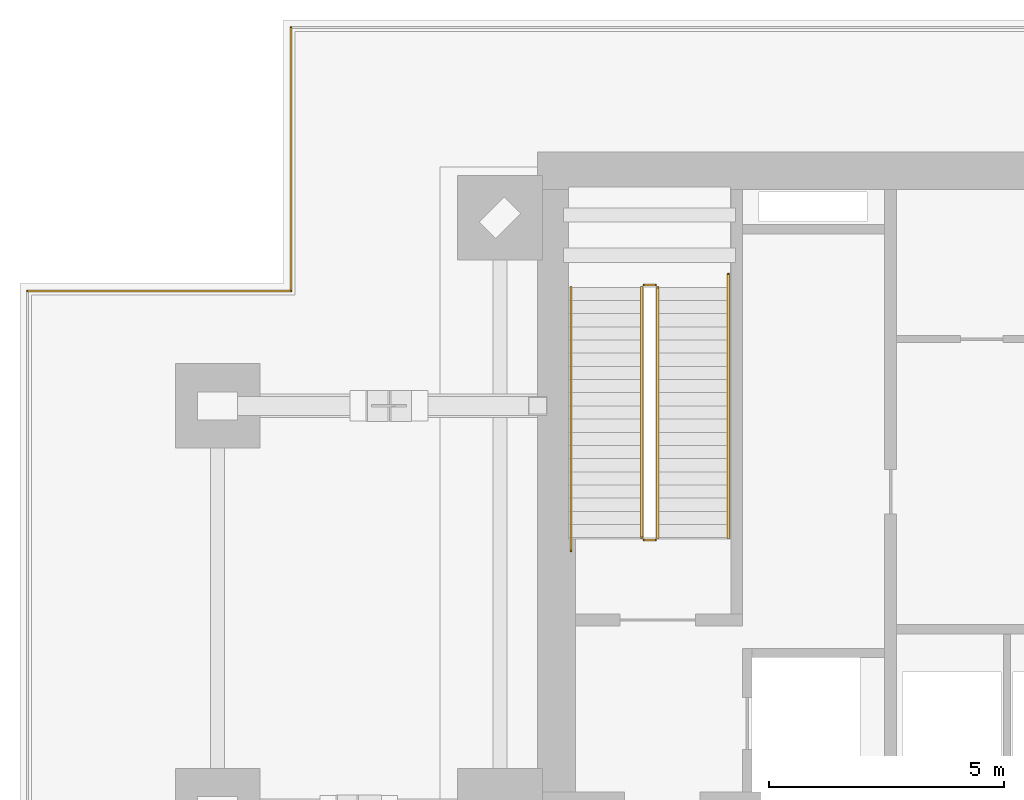
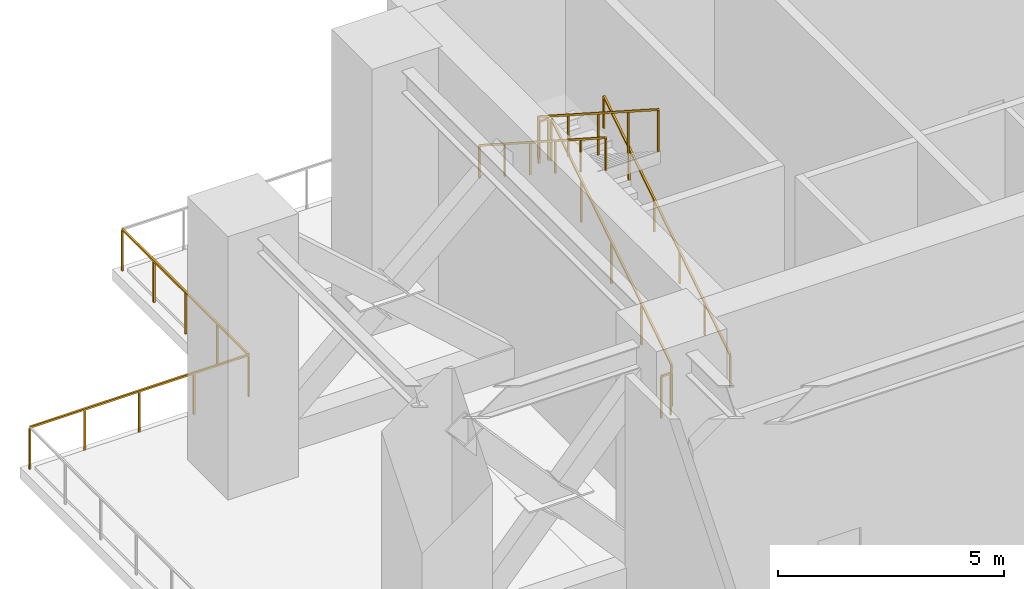
# One storey, part 7 of 10: 8 railings.
"""IFC4 building model written with IfcOpenShell, lengths in metres."""

from ifc_helpers import new_model, si_unit, direction, frame, origin, origin_2d, place, context, subcontext, project, spatial, rectangle, extrude, material, type_object, element, save


model = new_model("IFC4")

# Units and contexts
model_context = context("Model", 3, precision=1e-05, world=origin(), true_north=direction((0.0, 1.0)))
body_context = subcontext(model_context, "Body", "Model", "MODEL_VIEW")
ifc_project = project(units=[si_unit("LENGTHUNIT", "METRE"), si_unit("AREAUNIT", "SQUARE_METRE"), si_unit("VOLUMEUNIT", "CUBIC_METRE"), si_unit("PLANEANGLEUNIT", "RADIAN"), si_unit("MASSUNIT", "GRAM", prefix="KILO")], contexts=[model_context])

# Site, building, storey
site_placement = place(None, origin())
site = spatial("IfcSite", under=ifc_project, at=site_placement, CompositionType="ELEMENT")
building_placement = place(site_placement, origin())
building = spatial("IfcBuilding", under=site, at=building_placement, Name="Sumidabori Civic Tower", CompositionType="ELEMENT")
storey_placement = place(building_placement, frame((0.0, 0.0, 70.39990234375)))
storey = spatial("IfcBuildingStorey", under=building, at=storey_placement, Name="L18", CompositionType="ELEMENT", Elevation=70.39990234375)

# Railings
ifc_material_1 = material(Name="Anodised Bronze Aluminium AW-6063-T6", Category="aluminium")
railing_type_1 = type_object("IfcRailingType", Name="RL-BAL-1150", PredefinedType="BALUSTRADE", material=ifc_material_1)
railing_1_placement = place(storey_placement, frame((-26.840087890625, 21.239990234375, 0.0)))
element("IfcRailing", 1, at=railing_1_placement, inside=storey, type_object=railing_type_1, Name="Wind-Slot Refuge Portal Safety Guard L18-04", PredefinedType="BALUSTRADE", context=body_context, shape_type="SweptSolid", body=[
    extrude(rectangle(XDim=0.048095703125, YDim=0.048095703125, at=origin_2d()), frame((0.0, 0.0, 1.1259765625), z_axis=(1.0, 0.0, 0.0), x_axis=(0.0, 1.0, 0.0)), (0.0, 0.0, 1.0), 5.60009765625),
    extrude(rectangle(XDim=0.0419921875, YDim=0.0419921875, at=origin_2d()), origin(), (0.0, 0.0, 1.0), 1.101806640625),
    extrude(rectangle(XDim=0.0419921875, YDim=0.0419921875, at=origin_2d()), frame((1.39990234375, 0.0, 0.0)), (0.0, 0.0, 1.0), 1.101806640625),
    extrude(rectangle(XDim=0.0419921875, YDim=0.0419921875, at=origin_2d()), frame((2.800048828125, 0.0, 0.0)), (0.0, 0.0, 1.0), 1.101806640625),
    extrude(rectangle(XDim=0.0419921875, YDim=0.0419921875, at=origin_2d()), frame((4.2001953125, 0.0, 0.0)), (0.0, 0.0, 1.0), 1.101806640625),
    extrude(rectangle(XDim=0.0419921875, YDim=0.0419921875, at=origin_2d()), frame((5.60009765625, 0.0, 0.0)), (0.0, 0.0, 1.0), 1.101806640625),
])
railing_2_placement = place(storey_placement, frame((-21.239990234375, 21.239990234375, 0.0)))
element("IfcRailing", 2, at=railing_2_placement, inside=storey, type_object=railing_type_1, Name="Wind-Slot Refuge Portal Safety Guard L18-05", PredefinedType="BALUSTRADE", context=body_context, shape_type="SweptSolid", body=[
    extrude(rectangle(XDim=0.048095703125, YDim=0.048095703125, at=origin_2d()), frame((0.0, 0.0, 1.1259765625), z_axis=(0.0, 1.0, 0.0), x_axis=(-1.0, 0.0, 0.0)), (0.0, 0.0, 1.0), 5.60009765625),
    extrude(rectangle(XDim=0.0419921875, YDim=0.0419921875, at=origin_2d()), origin(), (0.0, 0.0, 1.0), 1.101806640625),
    extrude(rectangle(XDim=0.0419921875, YDim=0.0419921875, at=origin_2d()), frame((0.0, 1.39990234375, 0.0)), (0.0, 0.0, 1.0), 1.101806640625),
    extrude(rectangle(XDim=0.0419921875, YDim=0.0419921875, at=origin_2d()), frame((0.0, 2.800048828125, 0.0)), (0.0, 0.0, 1.0), 1.101806640625),
    extrude(rectangle(XDim=0.0419921875, YDim=0.0419921875, at=origin_2d()), frame((0.0, 4.2001953125, 0.0)), (0.0, 0.0, 1.0), 1.101806640625),
    extrude(rectangle(XDim=0.0419921875, YDim=0.0419921875, at=origin_2d()), frame((0.0, 5.60009765625, 0.0)), (0.0, 0.0, 1.0), 1.101806640625),
])
ifc_material_2 = material(Name="Stainless Steel Hairline Finish", Category="steel")
railing_type_2 = type_object("IfcRailingType", Name="RL-HANDRAIL", PredefinedType="HANDRAIL", material=ifc_material_2)
railing_3_placement = place(storey_placement, frame((-11.949951171875, 16.0, 0.18017578125)))
element("IfcRailing", 3, at=railing_3_placement, inside=storey, type_object=railing_type_2, Name="L18 ST-1 stair handrail 1", PredefinedType="HANDRAIL", context=body_context, shape_type="SweptSolid", body=[
    extrude(rectangle(XDim=0.048095703125, YDim=0.048095703125, at=origin_2d()), frame((0.0, 0.0, 0.8759765625), z_axis=(0.0, 0.840925860763, 0.541150345746), x_axis=(-1.0, 0.0, 0.0)), (0.0, 0.0, 1.0), 6.659423828125),
    extrude(rectangle(XDim=0.0419921875, YDim=0.0419921875, at=origin_2d()), origin(), (0.0, 0.0, 1.0), 0.851806640625),
    extrude(rectangle(XDim=0.0419921875, YDim=0.0419921875, at=origin_2d()), frame((0.0, 1.1201171875, 0.720703125)), (0.0, 0.0, 1.0), 0.851806640625),
    extrude(rectangle(XDim=0.0419921875, YDim=0.0419921875, at=origin_2d()), frame((0.0, 2.239990234375, 1.44140625)), (0.0, 0.0, 1.0), 0.851806640625),
    extrude(rectangle(XDim=0.0419921875, YDim=0.0419921875, at=origin_2d()), frame((0.0, 3.360107421875, 2.162353515625)), (0.0, 0.0, 1.0), 0.851806640625),
    extrude(rectangle(XDim=0.0419921875, YDim=0.0419921875, at=origin_2d()), frame((0.0, 4.47998046875, 2.883056640625)), (0.0, 0.0, 1.0), 0.851806640625),
    extrude(rectangle(XDim=0.0419921875, YDim=0.0419921875, at=origin_2d()), frame((0.0, 5.60009765625, 3.603759765625)), (0.0, 0.0, 1.0), 0.851806640625),
])
railing_4_placement = place(storey_placement, frame((-15.2900390625, 21.320068359375, 3.780029296875)))
element("IfcRailing", 4, at=railing_4_placement, inside=storey, type_object=railing_type_2, Name="L18 ST-1 stair handrail 2", PredefinedType="HANDRAIL", context=body_context, shape_type="SweptSolid", body=[
    extrude(rectangle(XDim=0.048095703125, YDim=0.048095703125, at=origin_2d()), frame((0.0, 0.0, 0.8759765625), z_axis=(0.0, -0.840925860763, 0.541150345746), x_axis=(1.0, 0.0, 0.0)), (0.0, 0.0, 1.0), 6.659423828125),
    extrude(rectangle(XDim=0.0419921875, YDim=0.0419921875, at=origin_2d()), origin(), (0.0, 0.0, 1.0), 0.851806640625),
    extrude(rectangle(XDim=0.0419921875, YDim=0.0419921875, at=origin_2d()), frame((0.0, -1.1201171875, 0.720703125)), (0.0, 0.0, 1.0), 0.851806640625),
    extrude(rectangle(XDim=0.0419921875, YDim=0.0419921875, at=origin_2d()), frame((0.0, -2.239990234375, 1.44140625)), (0.0, 0.0, 1.0), 0.851806640625),
    extrude(rectangle(XDim=0.0419921875, YDim=0.0419921875, at=origin_2d()), frame((0.0, -3.360107421875, 2.162353515625)), (0.0, 0.0, 1.0), 0.851806640625),
    extrude(rectangle(XDim=0.0419921875, YDim=0.0419921875, at=origin_2d()), frame((0.0, -4.47998046875, 2.883056640625)), (0.0, 0.0, 1.0), 0.851806640625),
    extrude(rectangle(XDim=0.0419921875, YDim=0.0419921875, at=origin_2d()), frame((0.0, -5.60009765625, 3.603759765625)), (0.0, 0.0, 1.0), 0.851806640625),
])
ifc_material_3 = material(Name="Steel SN490", Category="steel")
railing_type_3 = type_object("IfcRailingType", Name="RL-STAIR-GUARD", PredefinedType="GUARDRAIL", material=ifc_material_3)
railing_5_placement = place(storey_placement, frame((-13.449951171875, 16.0, 0.18017578125)))
element("IfcRailing", 5, at=railing_5_placement, inside=storey, type_object=railing_type_3, Name="L18 ST-1 stair guard 1", PredefinedType="GUARDRAIL", context=body_context, shape_type="SweptSolid", body=[
    extrude(rectangle(XDim=0.048095703125, YDim=0.048095703125, at=origin_2d()), frame((0.0, 0.0, 1.1259765625), z_axis=(0.0, 0.841187254898, 0.540743934037), x_axis=(-1.0, 0.0, 0.0)), (0.0, 0.0, 1.0), 6.324462890625),
    extrude(rectangle(XDim=0.0419921875, YDim=0.0419921875, at=origin_2d()), origin(), (0.0, 0.0, 1.0), 1.101806640625),
    extrude(rectangle(XDim=0.0419921875, YDim=0.0419921875, at=origin_2d()), frame((0.0, 1.330078125, 0.85498046875)), (0.0, 0.0, 1.0), 1.101806640625),
    extrude(rectangle(XDim=0.0419921875, YDim=0.0419921875, at=origin_2d()), frame((0.0, 2.66015625, 1.7099609375)), (0.0, 0.0, 1.0), 1.101806640625),
    extrude(rectangle(XDim=0.0419921875, YDim=0.0419921875, at=origin_2d()), frame((0.0, 3.989990234375, 2.56494140625)), (0.0, 0.0, 1.0), 1.101806640625),
    extrude(rectangle(XDim=0.0419921875, YDim=0.0419921875, at=origin_2d()), frame((0.0, 5.320068359375, 3.419921875)), (0.0, 0.0, 1.0), 1.101806640625),
])
railing_6_placement = place(storey_placement, frame((-13.5, 21.3701171875, 3.60009765625)))
element("IfcRailing", 6, at=railing_6_placement, inside=storey, type_object=railing_type_3, Name="L18 ST-1 stair guard 2", PredefinedType="GUARDRAIL", context=body_context, shape_type="SweptSolid", body=[
    extrude(rectangle(XDim=0.048095703125, YDim=0.048095703125, at=origin_2d()), frame((0.0, 0.0, 1.1259765625), z_axis=(-1.0, 0.0, 0.0), x_axis=(0.0, -1.0, 0.0)), (0.0, 0.0, 1.0), 0.239990234375),
    extrude(rectangle(XDim=0.0419921875, YDim=0.0419921875, at=origin_2d()), origin(), (0.0, 0.0, 1.0), 1.101806640625),
    extrude(rectangle(XDim=0.0419921875, YDim=0.0419921875, at=origin_2d()), frame((-0.239990234375, 0.0, 0.0)), (0.0, 0.0, 1.0), 1.101806640625),
])
railing_7_placement = place(storey_placement, frame((-13.7900390625, 21.320068359375, 3.780029296875)))
element("IfcRailing", 7, at=railing_7_placement, inside=storey, type_object=railing_type_3, Name="L18 ST-1 stair guard 3", PredefinedType="GUARDRAIL", context=body_context, shape_type="SweptSolid", body=[
    extrude(rectangle(XDim=0.048095703125, YDim=0.048095703125, at=origin_2d()), frame((0.0, 0.0, 1.1259765625), z_axis=(0.0, -0.841169695817, 0.540771248162), x_axis=(1.0, 0.0, 0.0)), (0.0, 0.0, 1.0), 6.32470703125),
    extrude(rectangle(XDim=0.0419921875, YDim=0.0419921875, at=origin_2d()), origin(), (0.0, 0.0, 1.0), 1.101806640625),
    extrude(rectangle(XDim=0.0419921875, YDim=0.0419921875, at=origin_2d()), frame((0.0, -1.330078125, 0.85498046875)), (0.0, 0.0, 1.0), 1.101806640625),
    extrude(rectangle(XDim=0.0419921875, YDim=0.0419921875, at=origin_2d()), frame((0.0, -2.66015625, 1.7099609375)), (0.0, 0.0, 1.0), 1.101806640625),
    extrude(rectangle(XDim=0.0419921875, YDim=0.0419921875, at=origin_2d()), frame((0.0, -3.989990234375, 2.565185546875)), (0.0, 0.0, 1.0), 1.101806640625),
    extrude(rectangle(XDim=0.0419921875, YDim=0.0419921875, at=origin_2d()), frame((0.0, -5.320068359375, 3.420166015625)), (0.0, 0.0, 1.0), 1.101806640625),
])
railing_8_placement = place(storey_placement, frame((-13.5, 15.949951171875, 0.0)))
element("IfcRailing", 8, at=railing_8_placement, inside=storey, type_object=railing_type_3, Name="L18 ST-1 stair guard 4", PredefinedType="GUARDRAIL", context=body_context, shape_type="SweptSolid", body=[
    extrude(rectangle(XDim=0.048095703125, YDim=0.048095703125, at=origin_2d()), frame((0.0, 0.0, 1.1259765625), z_axis=(-1.0, 0.0, 0.0), x_axis=(0.0, -1.0, 0.0)), (0.0, 0.0, 1.0), 0.239990234375),
    extrude(rectangle(XDim=0.0419921875, YDim=0.0419921875, at=origin_2d()), origin(), (0.0, 0.0, 1.0), 1.101806640625),
    extrude(rectangle(XDim=0.0419921875, YDim=0.0419921875, at=origin_2d()), frame((-0.239990234375, 0.0, 0.0)), (0.0, 0.0, 1.0), 1.101806640625),
])

save(model, "model.ifc")
